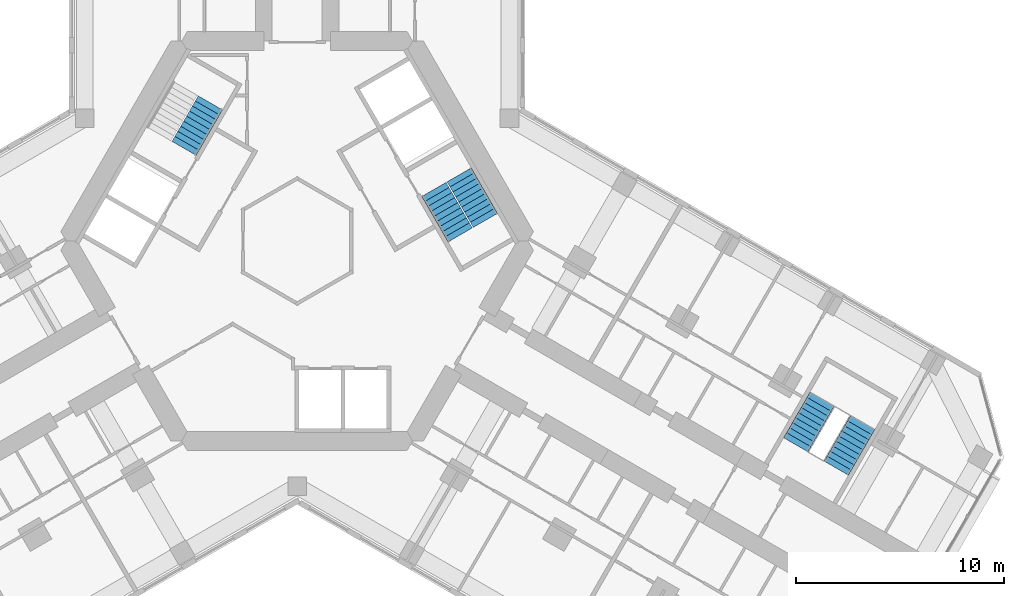
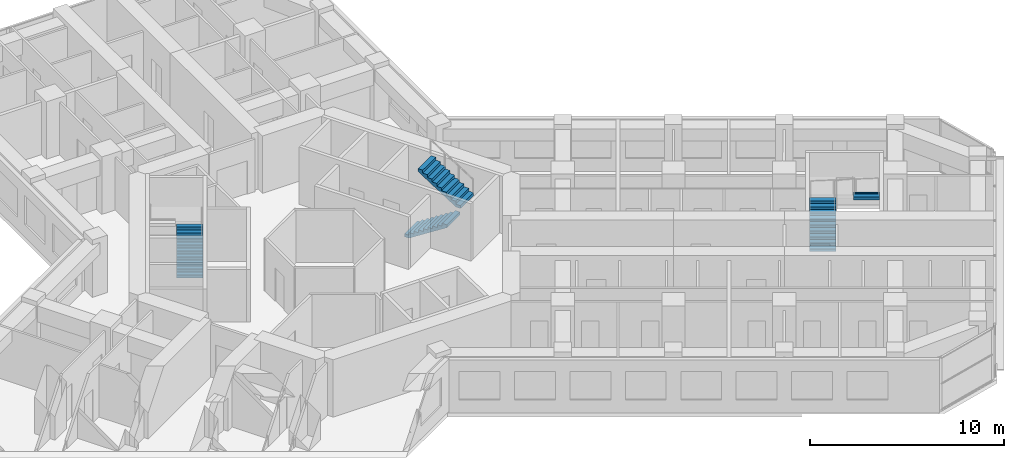
# One storey, part 19 of 20: 5 stair flights, 3 elements without a shape of their own.
"""IFC4 building model written with IfcOpenShell, lengths in metres."""

from ifc_helpers import new_model, si_unit, direction, frame, origin, place, context, subcontext, project, spatial, polyline, outline, extrude, material, type_object, element, aggregate, save


model = new_model("IFC4")

# Units and contexts
model_context = context("Model", 3, precision=1e-05, world=origin(), true_north=direction((0.0, 1.0)))
body_context = subcontext(model_context, "Body", "Model", "MODEL_VIEW")
ifc_project = project(units=[si_unit("LENGTHUNIT", "METRE"), si_unit("AREAUNIT", "SQUARE_METRE"), si_unit("VOLUMEUNIT", "CUBIC_METRE"), si_unit("PLANEANGLEUNIT", "RADIAN"), si_unit("MASSUNIT", "GRAM", prefix="KILO")], contexts=[model_context])

# Site, building, storey
site_placement = place(None, origin())
site = spatial("IfcSite", under=ifc_project, at=site_placement, CompositionType="ELEMENT")
building_placement = place(site_placement, origin())
building = spatial("IfcBuilding", under=site, at=building_placement, Name="Kosmar Iwan School Tower", CompositionType="ELEMENT")
storey_placement = place(building_placement, frame((0.0, 0.0, 183.199951171875)))
storey = spatial("IfcBuildingStorey", under=building, at=storey_placement, Name="L46", CompositionType="ELEMENT", Elevation=183.199951171875)

# Stair, stair flights
ifc_material_1 = material(Name="Concrete C35/45", Category="concrete")
stair_type_1 = type_object("IfcStairType", Name="Escape stair 3600", PredefinedType="HALF_TURN_STAIR", material=ifc_material_1)
stair_1_placement = place(storey_placement, origin())
stair_1 = element("IfcStair", 1, at=stair_1_placement, inside=storey, type_object=stair_type_1, Name="Stair WS3 L46", PredefinedType="HALF_TURN_STAIR")
ifc_material_2 = material(Name="Concrete C35/45", Category="concrete")
stair_flight_type_1 = type_object("IfcStairFlightType", Name="Escape stair flight 1350", PredefinedType="STRAIGHT", material=ifc_material_2)
stair_flight_1_placement = place(storey_placement, frame((23.94189453125, -9.781494140625, 0.0), z_axis=(0.0, 0.0, 1.0), x_axis=(0.5, 0.866025403784, 0.0)))
stair_flight_1 = element("IfcStairFlight", 2, at=stair_flight_1_placement, type_object=stair_flight_type_1, Name="WS3 flight 1", NumberOfRisers=10, NumberOfTreads=9, PredefinedType="STRAIGHT", RiserHeight=0.18, TreadLength=0.28, context=body_context, shape_type="SweptSolid", body=[
    extrude(outline(polyline([(0.0, 0.0), (0.0, 0.179931640625), (0.280029296875, 0.179931640625), (0.280029296875, 0.360107421875), (0.56005859375, 0.360107421875), (0.56005859375, 0.5400390625), (0.840087890625, 0.5400390625), (0.840087890625, 0.719970703125), (1.1201171875, 0.719970703125), (1.1201171875, 0.89990234375), (1.39990234375, 0.89990234375), (1.39990234375, 1.080078125), (1.679931640625, 1.080078125), (1.679931640625, 1.260009765625), (1.9599609375, 1.260009765625), (1.9599609375, 1.43994140625), (2.239990234375, 1.43994140625), (2.239990234375, 1.6201171875), (2.52001953125, 1.6201171875), (2.52001953125, 1.800048828125), (2.52001953125, 1.44189453125), (0.277099609375, 0.0), (0.0, 0.0)])), frame((0.0, 0.675048828125, 0.0), z_axis=(0.0, -1.0, 0.0), x_axis=(1.0, 0.0, 0.0)), (0.0, 0.0, 1.0), 1.35009765625),
])
stair_flight_2_placement = place(storey_placement, frame((27.150390625, -8.72412109375, 1.800048828125), z_axis=(0.0, 0.0, 1.0), x_axis=(-0.5, -0.866025403784, 0.0)))
stair_flight_2 = element("IfcStairFlight", 3, at=stair_flight_2_placement, type_object=stair_flight_type_1, Name="WS3 flight 2", NumberOfRisers=10, NumberOfTreads=9, PredefinedType="STRAIGHT", RiserHeight=0.18, TreadLength=0.28, context=body_context, shape_type="SweptSolid", body=[
    extrude(outline(polyline([(0.0, 0.0), (0.0, 0.179931640625), (0.280029296875, 0.179931640625), (0.280029296875, 0.360107421875), (0.56005859375, 0.360107421875), (0.56005859375, 0.5400390625), (0.840087890625, 0.5400390625), (0.840087890625, 0.719970703125), (1.1201171875, 0.719970703125), (1.1201171875, 0.89990234375), (1.39990234375, 0.89990234375), (1.39990234375, 1.080078125), (1.679931640625, 1.080078125), (1.679931640625, 1.260009765625), (1.9599609375, 1.260009765625), (1.9599609375, 1.43994140625), (2.239990234375, 1.43994140625), (2.239990234375, 1.6201171875), (2.52001953125, 1.6201171875), (2.52001953125, 1.800048828125), (2.52001953125, 1.44189453125), (0.277099609375, 0.0), (0.0, 0.0)])), frame((0.0, 0.675048828125, 0.0), z_axis=(0.0, -1.0, 0.0), x_axis=(1.0, 0.0, 0.0)), (0.0, 0.0, 1.0), 1.35009765625),
])
aggregate(stair_1, [stair_flight_1, stair_flight_2])

# Stair, stair flight
ifc_material_3 = material(Name="Concrete C35/45", Category="concrete")
stair_type_2 = type_object("IfcStairType", Name="Core stair 2750", PredefinedType="HALF_TURN_STAIR", material=ifc_material_3)
stair_2_placement = place(storey_placement, origin())
stair_2 = element("IfcStair", 4, at=stair_2_placement, inside=storey, type_object=stair_type_2, Name="Stair ST2 L46", PredefinedType="HALF_TURN_STAIR")
ifc_material_4 = material(Name="Concrete C35/45", Category="concrete")
stair_flight_type_2 = type_object("IfcStairFlightType", Name="Stair flight 1350", PredefinedType="STRAIGHT", material=ifc_material_4)
stair_flight_3_placement = place(storey_placement, frame((-5.42724609375, 4.44970703125, 0.0), z_axis=(0.0, 0.0, 1.0), x_axis=(0.5, 0.866025403784, 0.0)))
stair_flight_3 = element("IfcStairFlight", 5, at=stair_flight_3_placement, type_object=stair_flight_type_2, Name="ST2 flight 1", NumberOfRisers=10, NumberOfTreads=9, PredefinedType="STRAIGHT", RiserHeight=0.18, TreadLength=0.28, context=body_context, shape_type="SweptSolid", body=[
    extrude(outline(polyline([(0.0, 0.0), (0.0, 0.179931640625), (0.280029296875, 0.179931640625), (0.280029296875, 0.360107421875), (0.56005859375, 0.360107421875), (0.56005859375, 0.5400390625), (0.840087890625, 0.5400390625), (0.840087890625, 0.719970703125), (1.1201171875, 0.719970703125), (1.1201171875, 0.89990234375), (1.39990234375, 0.89990234375), (1.39990234375, 1.080078125), (1.679931640625, 1.080078125), (1.679931640625, 1.260009765625), (1.9599609375, 1.260009765625), (1.9599609375, 1.43994140625), (2.239990234375, 1.43994140625), (2.239990234375, 1.6201171875), (2.52001953125, 1.6201171875), (2.52001953125, 1.800048828125), (2.52001953125, 1.44189453125), (0.277099609375, 0.0), (0.0, 0.0)])), frame((0.0, 0.675048828125, 0.0), z_axis=(0.0, -1.0, 0.0), x_axis=(1.0, 0.0, 0.0)), (0.0, 0.0, 1.0), 1.35009765625),
])
aggregate(stair_2, [stair_flight_3])

# Stair, stair flights
stair_3_placement = place(storey_placement, origin())
stair_3 = element("IfcStair", 6, at=stair_3_placement, inside=storey, type_object=stair_type_2, Name="Stair ST1 L46", PredefinedType="HALF_TURN_STAIR")
stair_flight_4_placement = place(storey_placement, frame((6.567138671875, 2.475341796875, 0.0), z_axis=(0.0, 0.0, 1.0), x_axis=(0.5, -0.866025403784, 0.0)))
stair_flight_4 = element("IfcStairFlight", 7, at=stair_flight_4_placement, type_object=stair_flight_type_2, Name="ST1 flight 1", NumberOfRisers=10, NumberOfTreads=9, PredefinedType="STRAIGHT", RiserHeight=0.18, TreadLength=0.28, context=body_context, shape_type="SweptSolid", body=[
    extrude(outline(polyline([(0.0, 0.0), (0.0, 0.179931640625), (0.280029296875, 0.179931640625), (0.280029296875, 0.360107421875), (0.56005859375, 0.360107421875), (0.56005859375, 0.5400390625), (0.840087890625, 0.5400390625), (0.840087890625, 0.719970703125), (1.1201171875, 0.719970703125), (1.1201171875, 0.89990234375), (1.39990234375, 0.89990234375), (1.39990234375, 1.080078125), (1.679931640625, 1.080078125), (1.679931640625, 1.260009765625), (1.9599609375, 1.260009765625), (1.9599609375, 1.43994140625), (2.239990234375, 1.43994140625), (2.239990234375, 1.6201171875), (2.52001953125, 1.6201171875), (2.52001953125, 1.800048828125), (2.52001953125, 1.44189453125), (0.277099609375, 0.0), (0.0, 0.0)])), frame((0.0, 0.675048828125, 0.0), z_axis=(0.0, -1.0, 0.0), x_axis=(1.0, 0.0, 0.0)), (0.0, 0.0, 1.0), 1.35009765625),
])
stair_flight_5_placement = place(storey_placement, frame((9.03955078125, 0.992919921875, 1.800048828125), z_axis=(0.0, 0.0, 1.0), x_axis=(-0.5, 0.866025403784, 0.0)))
stair_flight_5 = element("IfcStairFlight", 8, at=stair_flight_5_placement, type_object=stair_flight_type_2, Name="ST1 flight 2", NumberOfRisers=10, NumberOfTreads=9, PredefinedType="STRAIGHT", RiserHeight=0.18, TreadLength=0.28, context=body_context, shape_type="SweptSolid", body=[
    extrude(outline(polyline([(0.0, 0.0), (0.0, 0.179931640625), (0.280029296875, 0.179931640625), (0.280029296875, 0.360107421875), (0.56005859375, 0.360107421875), (0.56005859375, 0.5400390625), (0.840087890625, 0.5400390625), (0.840087890625, 0.719970703125), (1.1201171875, 0.719970703125), (1.1201171875, 0.89990234375), (1.39990234375, 0.89990234375), (1.39990234375, 1.080078125), (1.679931640625, 1.080078125), (1.679931640625, 1.260009765625), (1.9599609375, 1.260009765625), (1.9599609375, 1.43994140625), (2.239990234375, 1.43994140625), (2.239990234375, 1.6201171875), (2.52001953125, 1.6201171875), (2.52001953125, 1.800048828125), (2.52001953125, 1.44189453125), (0.277099609375, 0.0), (0.0, 0.0)])), frame((0.0, 0.675048828125, 0.0), z_axis=(0.0, -1.0, 0.0), x_axis=(1.0, 0.0, 0.0)), (0.0, 0.0, 1.0), 1.35009765625),
])
aggregate(stair_3, [stair_flight_4, stair_flight_5])

save(model, "model.ifc")
